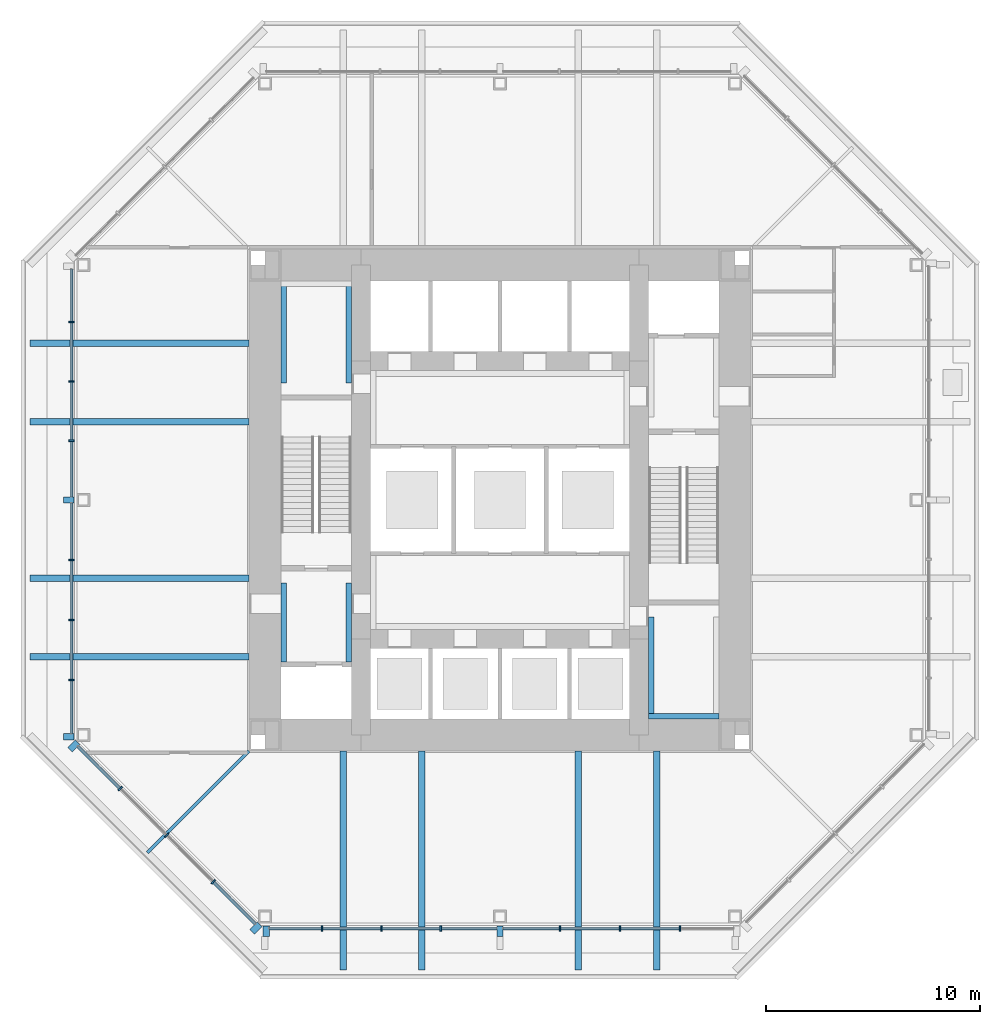
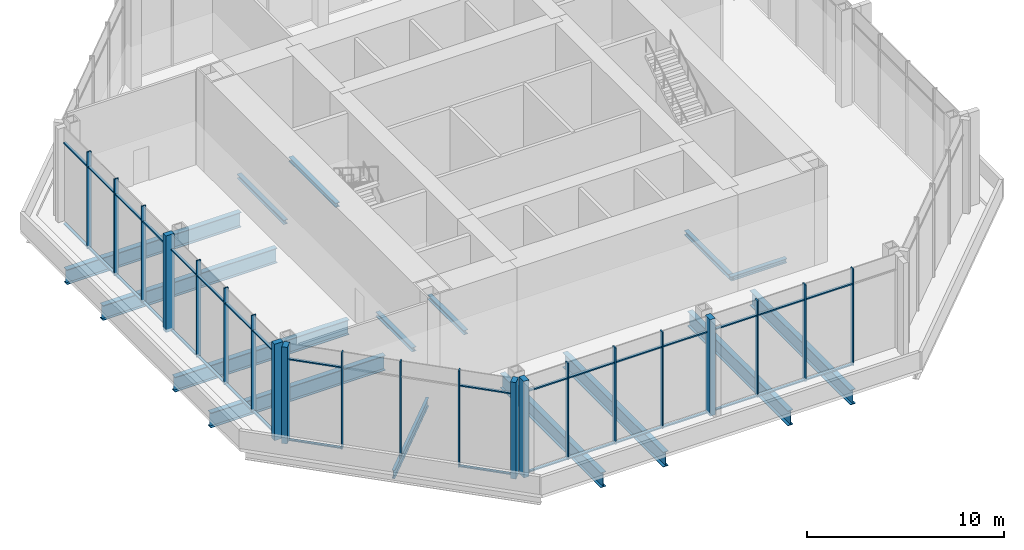
# One storey, part 2 of 10: 55 members, 15 beams, 3 elements without a shape of their own.
"""IFC4 building model written with IfcOpenShell, lengths in metres."""

from ifc_helpers import new_model, si_unit, direction, frame, origin, origin_2d, place, context, subcontext, project, spatial, rectangle, i_section, extrude, material, material_profile, profile_set, type_object, element, aggregate, save


model = new_model("IFC4")

# Units and contexts
model_context = context("Model", 3, precision=1e-05, world=origin(), true_north=direction((0.0, 1.0)))
body_context = subcontext(model_context, "Body", "Model", "MODEL_VIEW")
ifc_project = project(units=[si_unit("LENGTHUNIT", "METRE"), si_unit("AREAUNIT", "SQUARE_METRE"), si_unit("VOLUMEUNIT", "CUBIC_METRE"), si_unit("PLANEANGLEUNIT", "RADIAN"), si_unit("MASSUNIT", "GRAM", prefix="KILO")], contexts=[model_context])

# Site, building, storey
site_placement = place(None, origin())
site = spatial("IfcSite", under=ifc_project, at=site_placement, CompositionType="ELEMENT")
building_placement = place(site_placement, origin())
building = spatial("IfcBuilding", under=site, at=building_placement, Name="Trevanion Tower", CompositionType="ELEMENT")
storey_placement = place(building_placement, frame((0.0, 0.0, 184.699951171875)))
storey = spatial("IfcBuildingStorey", under=building, at=storey_placement, Name="L43", CompositionType="ELEMENT", Elevation=184.699951171875)

# Beams
ifc_material_1 = material(Name="Steel ASTM A992 Grade 50", Category="steel")
ifc_material_profile_1 = material_profile(ifc_material_1, i_section(OverallWidth=0.1650390625, OverallDepth=0.52587890625, WebThickness=0.0087890625, FlangeThickness=0.011474609375, at=origin_2d()), Name="W21X44")
ifc_profile_set_1 = profile_set([ifc_material_profile_1], Name="Steel ASTM A992 Grade 50")
beam_type_1 = type_object("IfcBeamType", Name="B10 W21X44", PredefinedType="BEAM", material=ifc_profile_set_1)
beam_1_placement = place(storey_placement, frame((-11.75, -11.75, -0.452880859375), z_axis=(-0.707106781187, -0.707106781187, 0.0), x_axis=(0.707106781187, -0.707106781187, 0.0)))
element("IfcBeam", 1, at=beam_1_placement, inside=storey, type_object=beam_type_1, Name="B10 L43", PredefinedType="BEAM", context=body_context, shape_type="SweptSolid", body=[
    extrude(i_section(OverallWidth=0.1650390625, OverallDepth=0.52587890625, WebThickness=0.0087890625, FlangeThickness=0.011474609375, at=origin_2d()), origin(), (0.0, 0.0, 1.0), 6.717529296875),
])
ifc_material_2 = material(Name="Steel ASTM A992 Grade 50", Category="steel")
ifc_material_profile_2 = material_profile(ifc_material_2, i_section(OverallWidth=0.307373046875, OverallDepth=0.922119140625, WebThickness=0.018310546875, FlangeThickness=0.030029296875, at=origin_2d()), Name="W36X182")
ifc_profile_set_2 = profile_set([ifc_material_profile_2], Name="Steel ASTM A992 Grade 50")
beam_type_2 = type_object("IfcBeamType", Name="B9 W36X182", PredefinedType="BEAM", material=ifc_profile_set_2)
for number, where, z_axis, x_axis, name in (
    (2, (-11.75, 7.333251953125, -0.65087890625), (-1.0, 0.0, 0.0), (0.0, -1.0, 0.0), "B9 L43"),
    (3, (-11.75, 3.666748046875, -0.65087890625), (-1.0, 0.0, 0.0), (0.0, -1.0, 0.0), "B9 L43"),
    (4, (-11.75, -3.666748046875, -0.65087890625), (-1.0, 0.0, 0.0), (0.0, -1.0, 0.0), "B9 L43"),
    (5, (-11.75, -7.333251953125, -0.65087890625), (-1.0, 0.0, 0.0), (0.0, -1.0, 0.0), "B9 L43"),
    (6, (-7.333251953125, -11.75, -0.65087890625), (0.0, -1.0, 0.0), (1.0, 0.0, 0.0), "B9 L43"),
    (7, (-3.666748046875, -11.75, -0.65087890625), (0.0, -1.0, 0.0), (1.0, 0.0, 0.0), "B9 L43"),
    (8, (3.666748046875, -11.75, -0.65087890625), (0.0, -1.0, 0.0), (1.0, 0.0, 0.0), "B9 L43"),
    (9, (7.333251953125, -11.75, -0.65087890625), (0.0, -1.0, 0.0), (1.0, 0.0, 0.0), "B9 L43"),
):
    element("IfcBeam", number, at=place(storey_placement, frame(where, z_axis=z_axis, x_axis=x_axis)), inside=storey, type_object=beam_type_2, Name=name, PredefinedType="BEAM", context=body_context, shape_type="SweptSolid", body=[
        extrude(i_section(OverallWidth=0.307373046875, OverallDepth=0.922119140625, WebThickness=0.018310546875, FlangeThickness=0.030029296875, at=origin_2d()), origin(), (0.0, 0.0, 1.0), 10.25),
    ])

# Curtain wall, members
ifc_material_3 = material(Name="Aluminium and glass", Category="aluminium")
curtain_wall_type = type_object("IfcCurtainWallType", Name="CW3 curtain wall", PredefinedType="USERDEFINED", material=ifc_material_3)
curtain_wall_1_placement = place(storey_placement, origin())
curtain_wall_1 = element("IfcCurtainWall", 10, at=curtain_wall_1_placement, inside=storey, type_object=curtain_wall_type, Name="CW3 L43 4", ObjectType="UNITISED CURTAIN WALL", PredefinedType="USERDEFINED")
ifc_material_4 = material(Name="Aluminium extrusion, anodised bronze", Category="aluminium")
ifc_material_profile_3 = material_profile(ifc_material_4, rectangle(XDim=0.074951171875, YDim=0.25, at=origin_2d()), Name="CW3 mullion")
ifc_profile_set_3 = profile_set([ifc_material_profile_3], Name="Aluminium extrusion, anodised bronze")
member_type_1 = type_object("IfcMemberType", Name="CW3 mullion", PredefinedType="MULLION", material=ifc_profile_set_3)
member_1_placement = place(storey_placement, frame((-20.050048828125, 8.323486328125, -0.18994140625), z_axis=(0.0, 0.0, 1.0), x_axis=(0.0, -1.0, 0.0)))
member_1 = element("IfcMember", 11, at=member_1_placement, type_object=member_type_1, Name="CW3 mullion 2", PredefinedType="MULLION", context=body_context, shape_type="SweptSolid", body=[
    extrude(rectangle(XDim=0.074951171875, YDim=0.25, at=origin_2d()), origin(), (0.0, 0.0, 1.0), 6.0),
])
member_2_placement = place(storey_placement, frame((-20.050048828125, 5.548828125, -0.18994140625), z_axis=(0.0, 0.0, 1.0), x_axis=(0.0, -1.0, 0.0)))
member_2 = element("IfcMember", 12, at=member_2_placement, type_object=member_type_1, Name="CW3 mullion 3", PredefinedType="MULLION", context=body_context, shape_type="SweptSolid", body=[
    extrude(rectangle(XDim=0.074951171875, YDim=0.25, at=origin_2d()), origin(), (0.0, 0.0, 1.0), 6.0),
])
member_3_placement = place(storey_placement, frame((-20.050048828125, 2.7744140625, -0.18994140625), z_axis=(0.0, 0.0, 1.0), x_axis=(0.0, -1.0, 0.0)))
member_3 = element("IfcMember", 13, at=member_3_placement, type_object=member_type_1, Name="CW3 mullion 4", PredefinedType="MULLION", context=body_context, shape_type="SweptSolid", body=[
    extrude(rectangle(XDim=0.074951171875, YDim=0.25, at=origin_2d()), origin(), (0.0, 0.0, 1.0), 6.0),
])
member_4_placement = place(storey_placement, frame((-20.050048828125, -2.806884765625, -0.18994140625), z_axis=(0.0, 0.0, 1.0), x_axis=(0.0, -1.0, 0.0)))
member_4 = element("IfcMember", 14, at=member_4_placement, type_object=member_type_1, Name="CW3 mullion 6", PredefinedType="MULLION", context=body_context, shape_type="SweptSolid", body=[
    extrude(rectangle(XDim=0.074951171875, YDim=0.25, at=origin_2d()), origin(), (0.0, 0.0, 1.0), 6.0),
])
member_5_placement = place(storey_placement, frame((-20.050048828125, -5.614013671875, -0.18994140625), z_axis=(0.0, 0.0, 1.0), x_axis=(0.0, -1.0, 0.0)))
member_5 = element("IfcMember", 15, at=member_5_placement, type_object=member_type_1, Name="CW3 mullion 7", PredefinedType="MULLION", context=body_context, shape_type="SweptSolid", body=[
    extrude(rectangle(XDim=0.074951171875, YDim=0.25, at=origin_2d()), origin(), (0.0, 0.0, 1.0), 6.0),
])
member_6_placement = place(storey_placement, frame((-20.050048828125, -8.4208984375, -0.18994140625), z_axis=(0.0, 0.0, 1.0), x_axis=(0.0, -1.0, 0.0)))
member_6 = element("IfcMember", 16, at=member_6_placement, type_object=member_type_1, Name="CW3 mullion 8", PredefinedType="MULLION", context=body_context, shape_type="SweptSolid", body=[
    extrude(rectangle(XDim=0.074951171875, YDim=0.25, at=origin_2d()), origin(), (0.0, 0.0, 1.0), 6.0),
])

curtain_wall_2_placement = place(storey_placement, origin())
curtain_wall_2 = element("IfcCurtainWall", 17, at=curtain_wall_2_placement, inside=storey, type_object=curtain_wall_type, Name="CW3 L43 5", ObjectType="UNITISED CURTAIN WALL", PredefinedType="USERDEFINED")
member_7_placement = place(storey_placement, frame((-17.775390625, -13.502197265625, -0.18994140625), z_axis=(0.0, 0.0, 1.0), x_axis=(0.707106781187, -0.707106781187, 0.0)))
member_7 = element("IfcMember", 18, at=member_7_placement, type_object=member_type_1, Name="CW3 mullion 2", PredefinedType="MULLION", context=body_context, shape_type="SweptSolid", body=[
    extrude(rectangle(XDim=0.074951171875, YDim=0.25, at=origin_2d()), origin(), (0.0, 0.0, 1.0), 6.0),
])
member_8_placement = place(storey_placement, frame((-15.593017578125, -15.684814453125, -0.18994140625), z_axis=(0.0, 0.0, 1.0), x_axis=(0.707106781187, -0.707106781187, 0.0)))
member_8 = element("IfcMember", 19, at=member_8_placement, type_object=member_type_1, Name="CW3 mullion 3", PredefinedType="MULLION", context=body_context, shape_type="SweptSolid", body=[
    extrude(rectangle(XDim=0.074951171875, YDim=0.25, at=origin_2d()), origin(), (0.0, 0.0, 1.0), 6.0),
])
member_9_placement = place(storey_placement, frame((-13.410400390625, -17.867431640625, -0.18994140625), z_axis=(0.0, 0.0, 1.0), x_axis=(0.707106781187, -0.707106781187, 0.0)))
member_9 = element("IfcMember", 20, at=member_9_placement, type_object=member_type_1, Name="CW3 mullion 4", PredefinedType="MULLION", context=body_context, shape_type="SweptSolid", body=[
    extrude(rectangle(XDim=0.074951171875, YDim=0.25, at=origin_2d()), origin(), (0.0, 0.0, 1.0), 6.0),
])

curtain_wall_3_placement = place(storey_placement, origin())
curtain_wall_3 = element("IfcCurtainWall", 21, at=curtain_wall_3_placement, inside=storey, type_object=curtain_wall_type, Name="CW3 L43 6", ObjectType="UNITISED CURTAIN WALL", PredefinedType="USERDEFINED")
member_10_placement = place(storey_placement, frame((-8.323486328125, -20.050048828125, -0.18994140625), z_axis=(0.0, 0.0, 1.0), x_axis=(1.0, 0.0, 0.0)))
member_10 = element("IfcMember", 22, at=member_10_placement, type_object=member_type_1, Name="CW3 mullion 2", PredefinedType="MULLION", context=body_context, shape_type="SweptSolid", body=[
    extrude(rectangle(XDim=0.074951171875, YDim=0.25, at=origin_2d()), origin(), (0.0, 0.0, 1.0), 6.0),
])
member_11_placement = place(storey_placement, frame((-5.548828125, -20.050048828125, -0.18994140625), z_axis=(0.0, 0.0, 1.0), x_axis=(1.0, 0.0, 0.0)))
member_11 = element("IfcMember", 23, at=member_11_placement, type_object=member_type_1, Name="CW3 mullion 3", PredefinedType="MULLION", context=body_context, shape_type="SweptSolid", body=[
    extrude(rectangle(XDim=0.074951171875, YDim=0.25, at=origin_2d()), origin(), (0.0, 0.0, 1.0), 6.0),
])
member_12_placement = place(storey_placement, frame((-2.7744140625, -20.050048828125, -0.18994140625), z_axis=(0.0, 0.0, 1.0), x_axis=(1.0, 0.0, 0.0)))
member_12 = element("IfcMember", 24, at=member_12_placement, type_object=member_type_1, Name="CW3 mullion 4", PredefinedType="MULLION", context=body_context, shape_type="SweptSolid", body=[
    extrude(rectangle(XDim=0.074951171875, YDim=0.25, at=origin_2d()), origin(), (0.0, 0.0, 1.0), 6.0),
])
member_13_placement = place(storey_placement, frame((2.806884765625, -20.050048828125, -0.18994140625), z_axis=(0.0, 0.0, 1.0), x_axis=(1.0, 0.0, 0.0)))
member_13 = element("IfcMember", 25, at=member_13_placement, type_object=member_type_1, Name="CW3 mullion 6", PredefinedType="MULLION", context=body_context, shape_type="SweptSolid", body=[
    extrude(rectangle(XDim=0.074951171875, YDim=0.25, at=origin_2d()), origin(), (0.0, 0.0, 1.0), 6.0),
])
member_14_placement = place(storey_placement, frame((5.614013671875, -20.050048828125, -0.18994140625), z_axis=(0.0, 0.0, 1.0), x_axis=(1.0, 0.0, 0.0)))
member_14 = element("IfcMember", 26, at=member_14_placement, type_object=member_type_1, Name="CW3 mullion 7", PredefinedType="MULLION", context=body_context, shape_type="SweptSolid", body=[
    extrude(rectangle(XDim=0.074951171875, YDim=0.25, at=origin_2d()), origin(), (0.0, 0.0, 1.0), 6.0),
])
member_15_placement = place(storey_placement, frame((8.4208984375, -20.050048828125, -0.18994140625), z_axis=(0.0, 0.0, 1.0), x_axis=(1.0, 0.0, 0.0)))
member_15 = element("IfcMember", 27, at=member_15_placement, type_object=member_type_1, Name="CW3 mullion 8", PredefinedType="MULLION", context=body_context, shape_type="SweptSolid", body=[
    extrude(rectangle(XDim=0.074951171875, YDim=0.25, at=origin_2d()), origin(), (0.0, 0.0, 1.0), 6.0),
])

# Member
ifc_material_5 = material(Name="Aluminium extrusion, anodised bronze", Category="aluminium")
ifc_material_profile_4 = material_profile(ifc_material_5, rectangle(XDim=0.300048828125, YDim=0.5, at=origin_2d()), Name="CW3 pier mullion")
ifc_profile_set_4 = profile_set([ifc_material_profile_4], Name="Aluminium extrusion, anodised bronze")
member_type_2 = type_object("IfcMemberType", Name="CW3 pier mullion", PredefinedType="MULLION", material=ifc_profile_set_4)
member_16_placement = place(storey_placement, frame((-20.175048828125, 0.0, -0.18994140625), z_axis=(0.0, 0.0, 1.0), x_axis=(0.0, -1.0, 0.0)))
member_16 = element("IfcMember", 28, at=member_16_placement, type_object=member_type_2, Name="CW3 pier mullion 5", PredefinedType="MULLION", context=body_context, shape_type="SweptSolid", body=[
    extrude(rectangle(XDim=0.300048828125, YDim=0.5, at=origin_2d()), origin(), (0.0, 0.0, 1.0), 6.0),
])

member_17_placement = place(storey_placement, frame((-20.175048828125, -11.077880859375, -0.18994140625), z_axis=(0.0, 0.0, 1.0), x_axis=(0.0, -1.0, 0.0)))
member_17 = element("IfcMember", 29, at=member_17_placement, type_object=member_type_2, Name="CW3 pier mullion 9", PredefinedType="MULLION", context=body_context, shape_type="SweptSolid", body=[
    extrude(rectangle(XDim=0.300048828125, YDim=0.5, at=origin_2d()), origin(), (0.0, 0.0, 1.0), 6.0),
])

member_18_placement = place(storey_placement, frame((-19.9404296875, -11.51416015625, -0.18994140625), z_axis=(0.0, 0.0, 1.0), x_axis=(0.707106781187, -0.707106781187, 0.0)))
member_18 = element("IfcMember", 30, at=member_18_placement, type_object=member_type_2, Name="CW3 pier mullion 1", PredefinedType="MULLION", context=body_context, shape_type="SweptSolid", body=[
    extrude(rectangle(XDim=0.300048828125, YDim=0.5, at=origin_2d()), origin(), (0.0, 0.0, 1.0), 6.0),
])

member_19_placement = place(storey_placement, frame((-11.42236328125, -20.0322265625, -0.18994140625), z_axis=(0.0, 0.0, 1.0), x_axis=(0.707106781187, -0.707106781187, 0.0)))
member_19 = element("IfcMember", 31, at=member_19_placement, type_object=member_type_2, Name="CW3 pier mullion 5", PredefinedType="MULLION", context=body_context, shape_type="SweptSolid", body=[
    extrude(rectangle(XDim=0.300048828125, YDim=0.5, at=origin_2d()), origin(), (0.0, 0.0, 1.0), 6.0),
])

member_20_placement = place(storey_placement, frame((-10.94775390625, -20.175048828125, -0.18994140625), z_axis=(0.0, 0.0, 1.0), x_axis=(1.0, 0.0, 0.0)))
member_20 = element("IfcMember", 32, at=member_20_placement, type_object=member_type_2, Name="CW3 pier mullion 1", PredefinedType="MULLION", context=body_context, shape_type="SweptSolid", body=[
    extrude(rectangle(XDim=0.300048828125, YDim=0.5, at=origin_2d()), origin(), (0.0, 0.0, 1.0), 6.0),
])

member_21_placement = place(storey_placement, frame((0.0, -20.175048828125, -0.18994140625), z_axis=(0.0, 0.0, 1.0), x_axis=(1.0, 0.0, 0.0)))
member_21 = element("IfcMember", 33, at=member_21_placement, type_object=member_type_2, Name="CW3 pier mullion 5", PredefinedType="MULLION", context=body_context, shape_type="SweptSolid", body=[
    extrude(rectangle(XDim=0.300048828125, YDim=0.5, at=origin_2d()), origin(), (0.0, 0.0, 1.0), 6.0),
])

ifc_material_6 = material(Name="Aluminium extrusion, anodised bronze", Category="aluminium")
ifc_material_profile_5 = material_profile(ifc_material_6, rectangle(XDim=0.14990234375, YDim=0.074951171875, at=origin_2d()), Name="CW3 transom")
ifc_profile_set_5 = profile_set([ifc_material_profile_5], Name="Aluminium extrusion, anodised bronze")
member_type_3 = type_object("IfcMemberType", Name="CW3 transom", PredefinedType="USERDEFINED", material=ifc_profile_set_5)
member_22_placement = place(storey_placement, frame((-20.050048828125, 10.7978515625, -0.15234375), z_axis=(0.0, -1.0, 0.0), x_axis=(1.0, 0.0, 0.0)))
member_22 = element("IfcMember", 34, at=member_22_placement, type_object=member_type_3, Name="CW3 transom 1.1", ObjectType="TRANSOM", PredefinedType="USERDEFINED", context=body_context, shape_type="SweptSolid", body=[
    extrude(rectangle(XDim=0.14990234375, YDim=0.074951171875, at=origin_2d()), origin(), (0.0, 0.0, 1.0), 2.43701171875),
])

member_23_placement = place(storey_placement, frame((-20.050048828125, 10.7978515625, 4.860107421875), z_axis=(0.0, -1.0, 0.0), x_axis=(1.0, 0.0, 0.0)))
member_23 = element("IfcMember", 35, at=member_23_placement, type_object=member_type_3, Name="CW3 transom 1.2", ObjectType="TRANSOM", PredefinedType="USERDEFINED", context=body_context, shape_type="SweptSolid", body=[
    extrude(rectangle(XDim=0.14990234375, YDim=0.074951171875, at=origin_2d()), origin(), (0.0, 0.0, 1.0), 2.43701171875),
])

member_24_placement = place(storey_placement, frame((-20.050048828125, 8.285888671875, -0.15234375), z_axis=(0.0, -1.0, 0.0), x_axis=(1.0, 0.0, 0.0)))
member_24 = element("IfcMember", 36, at=member_24_placement, type_object=member_type_3, Name="CW3 transom 2.1", ObjectType="TRANSOM", PredefinedType="USERDEFINED", context=body_context, shape_type="SweptSolid", body=[
    extrude(rectangle(XDim=0.14990234375, YDim=0.074951171875, at=origin_2d()), origin(), (0.0, 0.0, 1.0), 2.699462890625),
])

member_25_placement = place(storey_placement, frame((-20.050048828125, 8.285888671875, 4.860107421875), z_axis=(0.0, -1.0, 0.0), x_axis=(1.0, 0.0, 0.0)))
member_25 = element("IfcMember", 37, at=member_25_placement, type_object=member_type_3, Name="CW3 transom 2.2", ObjectType="TRANSOM", PredefinedType="USERDEFINED", context=body_context, shape_type="SweptSolid", body=[
    extrude(rectangle(XDim=0.14990234375, YDim=0.074951171875, at=origin_2d()), origin(), (0.0, 0.0, 1.0), 2.699462890625),
])

member_26_placement = place(storey_placement, frame((-20.050048828125, 5.511474609375, -0.15234375), z_axis=(0.0, -1.0, 0.0), x_axis=(1.0, 0.0, 0.0)))
member_26 = element("IfcMember", 38, at=member_26_placement, type_object=member_type_3, Name="CW3 transom 3.1", ObjectType="TRANSOM", PredefinedType="USERDEFINED", context=body_context, shape_type="SweptSolid", body=[
    extrude(rectangle(XDim=0.14990234375, YDim=0.074951171875, at=origin_2d()), origin(), (0.0, 0.0, 1.0), 2.699462890625),
])

member_27_placement = place(storey_placement, frame((-20.050048828125, 5.511474609375, 4.860107421875), z_axis=(0.0, -1.0, 0.0), x_axis=(1.0, 0.0, 0.0)))
member_27 = element("IfcMember", 39, at=member_27_placement, type_object=member_type_3, Name="CW3 transom 3.2", ObjectType="TRANSOM", PredefinedType="USERDEFINED", context=body_context, shape_type="SweptSolid", body=[
    extrude(rectangle(XDim=0.14990234375, YDim=0.074951171875, at=origin_2d()), origin(), (0.0, 0.0, 1.0), 2.699462890625),
])

member_28_placement = place(storey_placement, frame((-20.050048828125, 2.737060546875, -0.15234375), z_axis=(0.0, -1.0, 0.0), x_axis=(1.0, 0.0, 0.0)))
member_28 = element("IfcMember", 40, at=member_28_placement, type_object=member_type_3, Name="CW3 transom 4.1", ObjectType="TRANSOM", PredefinedType="USERDEFINED", context=body_context, shape_type="SweptSolid", body=[
    extrude(rectangle(XDim=0.14990234375, YDim=0.074951171875, at=origin_2d()), origin(), (0.0, 0.0, 1.0), 2.587158203125),
])

member_29_placement = place(storey_placement, frame((-20.050048828125, 2.737060546875, 4.860107421875), z_axis=(0.0, -1.0, 0.0), x_axis=(1.0, 0.0, 0.0)))
member_29 = element("IfcMember", 41, at=member_29_placement, type_object=member_type_3, Name="CW3 transom 4.2", ObjectType="TRANSOM", PredefinedType="USERDEFINED", context=body_context, shape_type="SweptSolid", body=[
    extrude(rectangle(XDim=0.14990234375, YDim=0.074951171875, at=origin_2d()), origin(), (0.0, 0.0, 1.0), 2.587158203125),
])

member_30_placement = place(storey_placement, frame((-20.050048828125, -0.14990234375, -0.15234375), z_axis=(0.0, -1.0, 0.0), x_axis=(1.0, 0.0, 0.0)))
member_30 = element("IfcMember", 42, at=member_30_placement, type_object=member_type_3, Name="CW3 transom 5.1", ObjectType="TRANSOM", PredefinedType="USERDEFINED", context=body_context, shape_type="SweptSolid", body=[
    extrude(rectangle(XDim=0.14990234375, YDim=0.074951171875, at=origin_2d()), origin(), (0.0, 0.0, 1.0), 2.619384765625),
])

member_31_placement = place(storey_placement, frame((-20.050048828125, -0.14990234375, 4.860107421875), z_axis=(0.0, -1.0, 0.0), x_axis=(1.0, 0.0, 0.0)))
member_31 = element("IfcMember", 43, at=member_31_placement, type_object=member_type_3, Name="CW3 transom 5.2", ObjectType="TRANSOM", PredefinedType="USERDEFINED", context=body_context, shape_type="SweptSolid", body=[
    extrude(rectangle(XDim=0.14990234375, YDim=0.074951171875, at=origin_2d()), origin(), (0.0, 0.0, 1.0), 2.619384765625),
])

member_32_placement = place(storey_placement, frame((-20.050048828125, -2.844482421875, -0.15234375), z_axis=(0.0, -1.0, 0.0), x_axis=(1.0, 0.0, 0.0)))
member_32 = element("IfcMember", 44, at=member_32_placement, type_object=member_type_3, Name="CW3 transom 6.1", ObjectType="TRANSOM", PredefinedType="USERDEFINED", context=body_context, shape_type="SweptSolid", body=[
    extrude(rectangle(XDim=0.14990234375, YDim=0.074951171875, at=origin_2d()), origin(), (0.0, 0.0, 1.0), 2.73193359375),
])

member_33_placement = place(storey_placement, frame((-20.050048828125, -2.844482421875, 4.860107421875), z_axis=(0.0, -1.0, 0.0), x_axis=(1.0, 0.0, 0.0)))
member_33 = element("IfcMember", 45, at=member_33_placement, type_object=member_type_3, Name="CW3 transom 6.2", ObjectType="TRANSOM", PredefinedType="USERDEFINED", context=body_context, shape_type="SweptSolid", body=[
    extrude(rectangle(XDim=0.14990234375, YDim=0.074951171875, at=origin_2d()), origin(), (0.0, 0.0, 1.0), 2.73193359375),
])

member_34_placement = place(storey_placement, frame((-20.050048828125, -5.6513671875, -0.15234375), z_axis=(0.0, -1.0, 0.0), x_axis=(1.0, 0.0, 0.0)))
member_34 = element("IfcMember", 46, at=member_34_placement, type_object=member_type_3, Name="CW3 transom 7.1", ObjectType="TRANSOM", PredefinedType="USERDEFINED", context=body_context, shape_type="SweptSolid", body=[
    extrude(rectangle(XDim=0.14990234375, YDim=0.074951171875, at=origin_2d()), origin(), (0.0, 0.0, 1.0), 2.73193359375),
])

member_35_placement = place(storey_placement, frame((-20.050048828125, -5.6513671875, 4.860107421875), z_axis=(0.0, -1.0, 0.0), x_axis=(1.0, 0.0, 0.0)))
member_35 = element("IfcMember", 47, at=member_35_placement, type_object=member_type_3, Name="CW3 transom 7.2", ObjectType="TRANSOM", PredefinedType="USERDEFINED", context=body_context, shape_type="SweptSolid", body=[
    extrude(rectangle(XDim=0.14990234375, YDim=0.074951171875, at=origin_2d()), origin(), (0.0, 0.0, 1.0), 2.73193359375),
])

member_36_placement = place(storey_placement, frame((-20.050048828125, -8.45849609375, -0.15234375), z_axis=(0.0, -1.0, 0.0), x_axis=(1.0, 0.0, 0.0)))
member_36 = element("IfcMember", 48, at=member_36_placement, type_object=member_type_3, Name="CW3 transom 8.1", ObjectType="TRANSOM", PredefinedType="USERDEFINED", context=body_context, shape_type="SweptSolid", body=[
    extrude(rectangle(XDim=0.14990234375, YDim=0.074951171875, at=origin_2d()), origin(), (0.0, 0.0, 1.0), 2.46923828125),
])

member_37_placement = place(storey_placement, frame((-20.050048828125, -8.45849609375, 4.860107421875), z_axis=(0.0, -1.0, 0.0), x_axis=(1.0, 0.0, 0.0)))
member_37 = element("IfcMember", 49, at=member_37_placement, type_object=member_type_3, Name="CW3 transom 8.2", ObjectType="TRANSOM", PredefinedType="USERDEFINED", context=body_context, shape_type="SweptSolid", body=[
    extrude(rectangle(XDim=0.14990234375, YDim=0.074951171875, at=origin_2d()), origin(), (0.0, 0.0, 1.0), 2.46923828125),
])

aggregate(curtain_wall_1, [member_1, member_2, member_3, member_16, member_4, member_5, member_6, member_17, member_22, member_23, member_24, member_25, member_26, member_27, member_28, member_29, member_30, member_31, member_32, member_33, member_34, member_35, member_36, member_37])

member_38_placement = place(storey_placement, frame((-19.745849609375, -11.531982421875, -0.15234375), z_axis=(0.707106781187, -0.707106781187, 0.0), x_axis=(0.707106781187, 0.707106781187, 0.0)))
member_38 = element("IfcMember", 50, at=member_38_placement, type_object=member_type_3, Name="CW3 transom 1.1", ObjectType="TRANSOM", PredefinedType="USERDEFINED", context=body_context, shape_type="SweptSolid", body=[
    extrude(rectangle(XDim=0.14990234375, YDim=0.074951171875, at=origin_2d()), origin(), (0.0, 0.0, 1.0), 2.7490234375),
])

member_39_placement = place(storey_placement, frame((-19.745849609375, -11.531982421875, 4.860107421875), z_axis=(0.707106781187, -0.707106781187, 0.0), x_axis=(0.707106781187, 0.707106781187, 0.0)))
member_39 = element("IfcMember", 51, at=member_39_placement, type_object=member_type_3, Name="CW3 transom 1.2", ObjectType="TRANSOM", PredefinedType="USERDEFINED", context=body_context, shape_type="SweptSolid", body=[
    extrude(rectangle(XDim=0.14990234375, YDim=0.074951171875, at=origin_2d()), origin(), (0.0, 0.0, 1.0), 2.7490234375),
])

member_40_placement = place(storey_placement, frame((-13.3837890625, -17.89404296875, -0.15234375), z_axis=(0.707106781187, -0.707106781187, 0.0), x_axis=(0.707106781187, 0.707106781187, 0.0)))
member_40 = element("IfcMember", 52, at=member_40_placement, type_object=member_type_3, Name="CW3 transom 4.1", ObjectType="TRANSOM", PredefinedType="USERDEFINED", context=body_context, shape_type="SweptSolid", body=[
    extrude(rectangle(XDim=0.14990234375, YDim=0.074951171875, at=origin_2d()), origin(), (0.0, 0.0, 1.0), 2.7490234375),
])

member_41_placement = place(storey_placement, frame((-13.3837890625, -17.89404296875, 4.860107421875), z_axis=(0.707106781187, -0.707106781187, 0.0), x_axis=(0.707106781187, 0.707106781187, 0.0)))
member_41 = element("IfcMember", 53, at=member_41_placement, type_object=member_type_3, Name="CW3 transom 4.2", ObjectType="TRANSOM", PredefinedType="USERDEFINED", context=body_context, shape_type="SweptSolid", body=[
    extrude(rectangle(XDim=0.14990234375, YDim=0.074951171875, at=origin_2d()), origin(), (0.0, 0.0, 1.0), 2.7490234375),
])

aggregate(curtain_wall_2, [member_18, member_7, member_8, member_9, member_19, member_38, member_39, member_40, member_41])

member_42_placement = place(storey_placement, frame((-10.7978515625, -20.050048828125, -0.15234375), z_axis=(1.0, 0.0, 0.0), x_axis=(0.0, 1.0, 0.0)))
member_42 = element("IfcMember", 54, at=member_42_placement, type_object=member_type_3, Name="CW3 transom 1.1", ObjectType="TRANSOM", PredefinedType="USERDEFINED", context=body_context, shape_type="SweptSolid", body=[
    extrude(rectangle(XDim=0.14990234375, YDim=0.074951171875, at=origin_2d()), origin(), (0.0, 0.0, 1.0), 2.43701171875),
])

member_43_placement = place(storey_placement, frame((-10.7978515625, -20.050048828125, 4.860107421875), z_axis=(1.0, 0.0, 0.0), x_axis=(0.0, 1.0, 0.0)))
member_43 = element("IfcMember", 55, at=member_43_placement, type_object=member_type_3, Name="CW3 transom 1.2", ObjectType="TRANSOM", PredefinedType="USERDEFINED", context=body_context, shape_type="SweptSolid", body=[
    extrude(rectangle(XDim=0.14990234375, YDim=0.074951171875, at=origin_2d()), origin(), (0.0, 0.0, 1.0), 2.43701171875),
])

member_44_placement = place(storey_placement, frame((-8.285888671875, -20.050048828125, -0.15234375), z_axis=(1.0, 0.0, 0.0), x_axis=(0.0, 1.0, 0.0)))
member_44 = element("IfcMember", 56, at=member_44_placement, type_object=member_type_3, Name="CW3 transom 2.1", ObjectType="TRANSOM", PredefinedType="USERDEFINED", context=body_context, shape_type="SweptSolid", body=[
    extrude(rectangle(XDim=0.14990234375, YDim=0.074951171875, at=origin_2d()), origin(), (0.0, 0.0, 1.0), 2.699462890625),
])

member_45_placement = place(storey_placement, frame((-8.285888671875, -20.050048828125, 4.860107421875), z_axis=(1.0, 0.0, 0.0), x_axis=(0.0, 1.0, 0.0)))
member_45 = element("IfcMember", 57, at=member_45_placement, type_object=member_type_3, Name="CW3 transom 2.2", ObjectType="TRANSOM", PredefinedType="USERDEFINED", context=body_context, shape_type="SweptSolid", body=[
    extrude(rectangle(XDim=0.14990234375, YDim=0.074951171875, at=origin_2d()), origin(), (0.0, 0.0, 1.0), 2.699462890625),
])

member_46_placement = place(storey_placement, frame((-5.511474609375, -20.050048828125, -0.15234375), z_axis=(1.0, 0.0, 0.0), x_axis=(0.0, 1.0, 0.0)))
member_46 = element("IfcMember", 58, at=member_46_placement, type_object=member_type_3, Name="CW3 transom 3.1", ObjectType="TRANSOM", PredefinedType="USERDEFINED", context=body_context, shape_type="SweptSolid", body=[
    extrude(rectangle(XDim=0.14990234375, YDim=0.074951171875, at=origin_2d()), origin(), (0.0, 0.0, 1.0), 2.699462890625),
])

member_47_placement = place(storey_placement, frame((-5.511474609375, -20.050048828125, 4.860107421875), z_axis=(1.0, 0.0, 0.0), x_axis=(0.0, 1.0, 0.0)))
member_47 = element("IfcMember", 59, at=member_47_placement, type_object=member_type_3, Name="CW3 transom 3.2", ObjectType="TRANSOM", PredefinedType="USERDEFINED", context=body_context, shape_type="SweptSolid", body=[
    extrude(rectangle(XDim=0.14990234375, YDim=0.074951171875, at=origin_2d()), origin(), (0.0, 0.0, 1.0), 2.699462890625),
])

member_48_placement = place(storey_placement, frame((-2.737060546875, -20.050048828125, -0.15234375), z_axis=(1.0, 0.0, 0.0), x_axis=(0.0, 1.0, 0.0)))
member_48 = element("IfcMember", 60, at=member_48_placement, type_object=member_type_3, Name="CW3 transom 4.1", ObjectType="TRANSOM", PredefinedType="USERDEFINED", context=body_context, shape_type="SweptSolid", body=[
    extrude(rectangle(XDim=0.14990234375, YDim=0.074951171875, at=origin_2d()), origin(), (0.0, 0.0, 1.0), 2.587158203125),
])

member_49_placement = place(storey_placement, frame((-2.737060546875, -20.050048828125, 4.860107421875), z_axis=(1.0, 0.0, 0.0), x_axis=(0.0, 1.0, 0.0)))
member_49 = element("IfcMember", 61, at=member_49_placement, type_object=member_type_3, Name="CW3 transom 4.2", ObjectType="TRANSOM", PredefinedType="USERDEFINED", context=body_context, shape_type="SweptSolid", body=[
    extrude(rectangle(XDim=0.14990234375, YDim=0.074951171875, at=origin_2d()), origin(), (0.0, 0.0, 1.0), 2.587158203125),
])

member_50_placement = place(storey_placement, frame((0.14990234375, -20.050048828125, -0.15234375), z_axis=(1.0, 0.0, 0.0), x_axis=(0.0, 1.0, 0.0)))
member_50 = element("IfcMember", 62, at=member_50_placement, type_object=member_type_3, Name="CW3 transom 5.1", ObjectType="TRANSOM", PredefinedType="USERDEFINED", context=body_context, shape_type="SweptSolid", body=[
    extrude(rectangle(XDim=0.14990234375, YDim=0.074951171875, at=origin_2d()), origin(), (0.0, 0.0, 1.0), 2.619384765625),
])

member_51_placement = place(storey_placement, frame((0.14990234375, -20.050048828125, 4.860107421875), z_axis=(1.0, 0.0, 0.0), x_axis=(0.0, 1.0, 0.0)))
member_51 = element("IfcMember", 63, at=member_51_placement, type_object=member_type_3, Name="CW3 transom 5.2", ObjectType="TRANSOM", PredefinedType="USERDEFINED", context=body_context, shape_type="SweptSolid", body=[
    extrude(rectangle(XDim=0.14990234375, YDim=0.074951171875, at=origin_2d()), origin(), (0.0, 0.0, 1.0), 2.619384765625),
])

member_52_placement = place(storey_placement, frame((2.844482421875, -20.050048828125, -0.15234375), z_axis=(1.0, 0.0, 0.0), x_axis=(0.0, 1.0, 0.0)))
member_52 = element("IfcMember", 64, at=member_52_placement, type_object=member_type_3, Name="CW3 transom 6.1", ObjectType="TRANSOM", PredefinedType="USERDEFINED", context=body_context, shape_type="SweptSolid", body=[
    extrude(rectangle(XDim=0.14990234375, YDim=0.074951171875, at=origin_2d()), origin(), (0.0, 0.0, 1.0), 2.73193359375),
])

member_53_placement = place(storey_placement, frame((2.844482421875, -20.050048828125, 4.860107421875), z_axis=(1.0, 0.0, 0.0), x_axis=(0.0, 1.0, 0.0)))
member_53 = element("IfcMember", 65, at=member_53_placement, type_object=member_type_3, Name="CW3 transom 6.2", ObjectType="TRANSOM", PredefinedType="USERDEFINED", context=body_context, shape_type="SweptSolid", body=[
    extrude(rectangle(XDim=0.14990234375, YDim=0.074951171875, at=origin_2d()), origin(), (0.0, 0.0, 1.0), 2.73193359375),
])

member_54_placement = place(storey_placement, frame((5.6513671875, -20.050048828125, -0.15234375), z_axis=(1.0, 0.0, 0.0), x_axis=(0.0, 1.0, 0.0)))
member_54 = element("IfcMember", 66, at=member_54_placement, type_object=member_type_3, Name="CW3 transom 7.1", ObjectType="TRANSOM", PredefinedType="USERDEFINED", context=body_context, shape_type="SweptSolid", body=[
    extrude(rectangle(XDim=0.14990234375, YDim=0.074951171875, at=origin_2d()), origin(), (0.0, 0.0, 1.0), 2.73193359375),
])

member_55_placement = place(storey_placement, frame((5.6513671875, -20.050048828125, 4.860107421875), z_axis=(1.0, 0.0, 0.0), x_axis=(0.0, 1.0, 0.0)))
member_55 = element("IfcMember", 67, at=member_55_placement, type_object=member_type_3, Name="CW3 transom 7.2", ObjectType="TRANSOM", PredefinedType="USERDEFINED", context=body_context, shape_type="SweptSolid", body=[
    extrude(rectangle(XDim=0.14990234375, YDim=0.074951171875, at=origin_2d()), origin(), (0.0, 0.0, 1.0), 2.73193359375),
])

aggregate(curtain_wall_3, [member_20, member_10, member_11, member_12, member_21, member_13, member_14, member_15, member_42, member_43, member_44, member_45, member_46, member_47, member_48, member_49, member_50, member_51, member_52, member_53, member_54, member_55])

# Beams
ifc_material_7 = material(Name="Steel ASTM A992 Grade 50", Category="steel")
ifc_material_profile_6 = material_profile(ifc_material_7, i_section(OverallWidth=0.256591796875, OverallDepth=0.26416015625, WebThickness=0.011962890625, FlangeThickness=0.01953125, at=origin_2d()), Name="W10X68")
ifc_profile_set_6 = profile_set([ifc_material_profile_6], Name="Steel ASTM A992 Grade 50")
beam_type_3 = type_object("IfcBeamType", Name="LB1 W10X68", PredefinedType="BEAM", material=ifc_profile_set_6)
for number, where, z_axis, x_axis, name in (
    (68, (-10.12158203125, -7.574951171875, -0.33203125), (0.0, 1.0, 0.0), (-1.0, 0.0, 0.0), "LB1 L43"),
    (69, (-7.078369140625, -7.574951171875, -0.33203125), (0.0, 1.0, 0.0), (-1.0, 0.0, 0.0), "LB1 L43"),
):
    element("IfcBeam", number, at=place(storey_placement, frame(where, z_axis=z_axis, x_axis=x_axis)), inside=storey, type_object=beam_type_3, Name=name, PredefinedType="BEAM", context=body_context, shape_type="SweptSolid", body=[
        extrude(i_section(OverallWidth=0.256591796875, OverallDepth=0.26416015625, WebThickness=0.011962890625, FlangeThickness=0.01953125, at=origin_2d()), origin(), (0.0, 0.0, 1.0), 3.699951171875),
    ])
beam_2_placement = place(storey_placement, frame((7.078369140625, -10.25, -0.33203125), z_axis=(0.0, 1.0, 0.0), x_axis=(-1.0, 0.0, 0.0)))
element("IfcBeam", 70, at=beam_2_placement, inside=storey, type_object=beam_type_3, Name="LB1 L43", PredefinedType="BEAM", context=body_context, shape_type="SweptSolid", body=[
    extrude(i_section(OverallWidth=0.256591796875, OverallDepth=0.26416015625, WebThickness=0.011962890625, FlangeThickness=0.01953125, at=origin_2d()), origin(), (0.0, 0.0, 1.0), 4.77490234375),
])
beam_3_placement = place(storey_placement, frame((6.949951171875, -10.12158203125, -0.33203125), z_axis=(1.0, 0.0, 0.0), x_axis=(0.0, 1.0, 0.0)))
element("IfcBeam", 71, at=beam_3_placement, inside=storey, type_object=beam_type_3, Name="LB1 L43", PredefinedType="BEAM", context=body_context, shape_type="SweptSolid", body=[
    extrude(i_section(OverallWidth=0.256591796875, OverallDepth=0.26416015625, WebThickness=0.011962890625, FlangeThickness=0.01953125, at=origin_2d()), origin(), (0.0, 0.0, 1.0), 3.300048828125),
])
for number, where, z_axis, x_axis, name in (
    (72, (-10.12158203125, 5.47509765625, -0.33203125), (0.0, 1.0, 0.0), (-1.0, 0.0, 0.0), "LB1 L43"),
    (73, (-7.078369140625, 5.47509765625, -0.33203125), (0.0, 1.0, 0.0), (-1.0, 0.0, 0.0), "LB1 L43"),
):
    element("IfcBeam", number, at=place(storey_placement, frame(where, z_axis=z_axis, x_axis=x_axis)), inside=storey, type_object=beam_type_3, Name=name, PredefinedType="BEAM", context=body_context, shape_type="SweptSolid", body=[
        extrude(i_section(OverallWidth=0.256591796875, OverallDepth=0.26416015625, WebThickness=0.011962890625, FlangeThickness=0.01953125, at=origin_2d()), origin(), (0.0, 0.0, 1.0), 4.77490234375),
    ])

save(model, "model.ifc")
